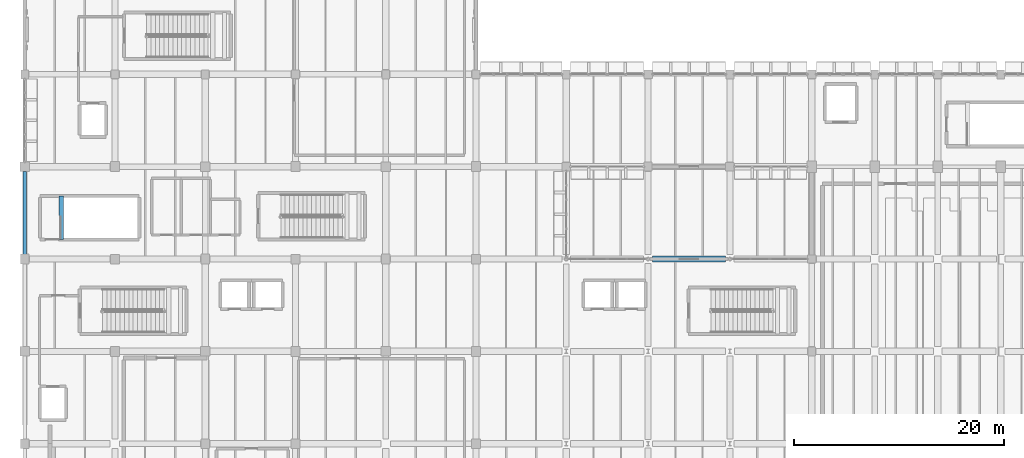
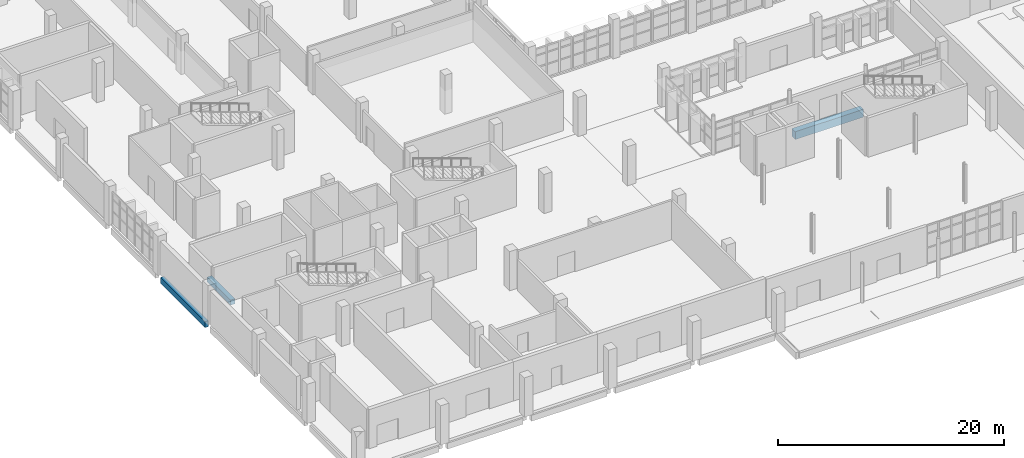
# One storey, part 12 of 76: 3 beams.
"""IFC4 building model written with IfcOpenShell, lengths in metres."""

from ifc_helpers import new_model, si_unit, direction, frame, origin, origin_2d, place, context, subcontext, project, spatial, rectangle, extrude, material, material_profile, profile_set, type_object, element, save


model = new_model("IFC4")

# Units and contexts
model_context = context("Model", 3, precision=1e-05, world=origin(), true_north=direction((0.0, 1.0)))
body_context = subcontext(model_context, "Body", "Model", "MODEL_VIEW")
ifc_project = project(units=[si_unit("LENGTHUNIT", "METRE"), si_unit("AREAUNIT", "SQUARE_METRE"), si_unit("VOLUMEUNIT", "CUBIC_METRE"), si_unit("PLANEANGLEUNIT", "RADIAN"), si_unit("MASSUNIT", "GRAM", prefix="KILO")], contexts=[model_context])

# Site, building, storey
site_placement = place(None, origin())
site = spatial("IfcSite", under=ifc_project, at=site_placement, CompositionType="ELEMENT")
building_placement = place(site_placement, origin())
building = spatial("IfcBuilding", under=site, at=building_placement, Name="Varnakota Cinema and Media Centre", CompositionType="ELEMENT")
storey_placement = place(building_placement, origin())
storey = spatial("IfcBuildingStorey", under=building, at=storey_placement, Name="L00", CompositionType="ELEMENT", Elevation=0.0)

# Beams
ifc_material_1 = material(Name="Concrete M40", Category="concrete")
ifc_material_profile_1 = material_profile(ifc_material_1, rectangle(XDim=0.449951171875, YDim=0.550048828125, at=origin_2d()), Name="RCB 450x550")
ifc_profile_set_1 = profile_set([ifc_material_profile_1], Name="Concrete M40")
beam_type_1 = type_object("IfcBeamType", Name="BM-RC-450x550", PredefinedType="BEAM", material=ifc_profile_set_1)
beam_1_placement = place(storey_placement, frame((3.469970703125, 28.25, -0.27490234375), z_axis=(0.0, 1.0, 0.0), x_axis=(-1.0, 0.0, 0.0)))
element("IfcBeam", 1, at=beam_1_placement, inside=storey, type_object=beam_type_1, Name="L00 ST-B1 stair arrival trimmer beam", PredefinedType="BEAM", context=body_context, shape_type="SweptSolid", body=[
    extrude(rectangle(XDim=0.449951171875, YDim=0.550048828125, at=origin_2d()), origin(), (0.0, 0.0, 1.0), 4.14990234375),
])
ifc_material_2 = material(Name="Concrete M35", Category="concrete")
ifc_material_profile_2 = material_profile(ifc_material_2, rectangle(XDim=0.60009765625, YDim=0.85009765625, at=origin_2d()), Name="RCB 600x850")
ifc_profile_set_2 = profile_set([ifc_material_profile_2], Name="Concrete M35")
beam_type_2 = type_object("IfcBeamType", Name="BM-RC-600x850", PredefinedType="BEAM", material=ifc_profile_set_2)
beam_2_placement = place(storey_placement, frame((59.824951171875, 26.39990234375, -0.705078125), z_axis=(1.0, 0.0, 0.0), x_axis=(0.0, 1.0, 0.0)))
element("IfcBeam", 2, at=beam_2_placement, inside=storey, type_object=beam_type_2, Name="L00 girder H-J/4", PredefinedType="BEAM", context=body_context, shape_type="SweptSolid", body=[
    extrude(rectangle(XDim=0.60009765625, YDim=0.85009765625, at=origin_2d()), origin(), (0.0, 0.0, 1.0), 6.97509765625),
])
ifc_material_3 = material(Name="Concrete M40", Category="concrete")
ifc_material_profile_3 = material_profile(ifc_material_3, rectangle(XDim=0.35009765625, YDim=0.64990234375, at=origin_2d()), Name="RCB 350x650")
ifc_profile_set_3 = profile_set([ifc_material_profile_3], Name="Concrete M40")
beam_type_3 = type_object("IfcBeamType", Name="BM-SP-350x650", PredefinedType="SPANDREL", material=ifc_profile_set_3)
beam_3_placement = place(storey_placement, frame((0.0, 26.85009765625, -0.60498046875), z_axis=(0.0, 1.0, 0.0), x_axis=(-1.0, 0.0, 0.0)))
element("IfcBeam", 3, at=beam_3_placement, inside=storey, type_object=beam_type_3, Name="L00 girder A/4-5", PredefinedType="SPANDREL", context=body_context, shape_type="SweptSolid", body=[
    extrude(rectangle(XDim=0.35009765625, YDim=0.64990234375, at=origin_2d()), origin(), (0.0, 0.0, 1.0), 7.89990234375),
])

save(model, "model.ifc")
